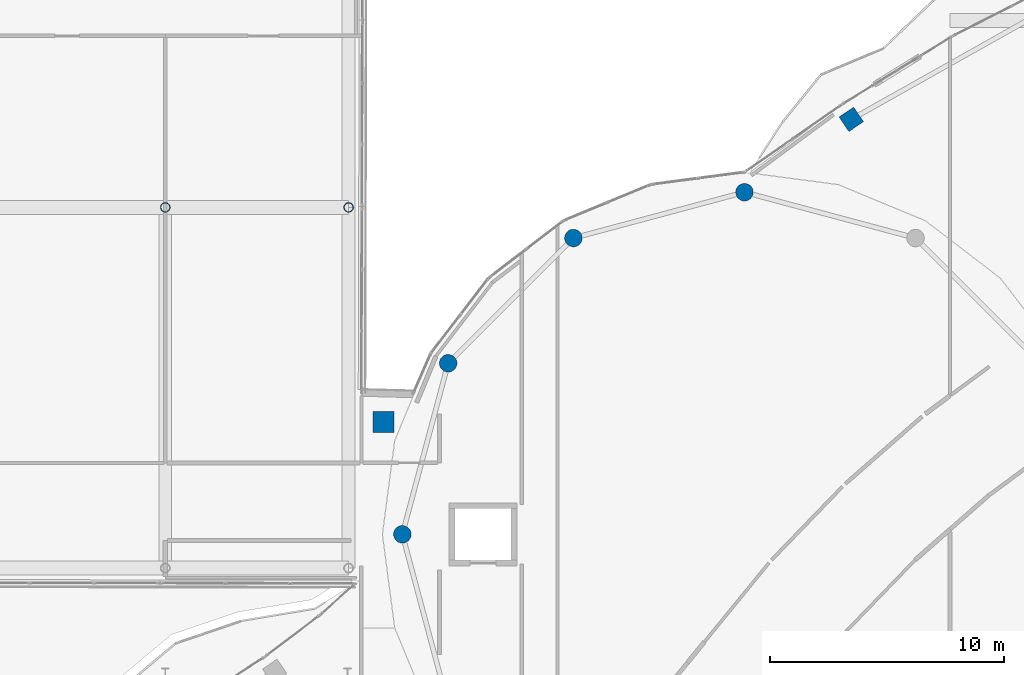
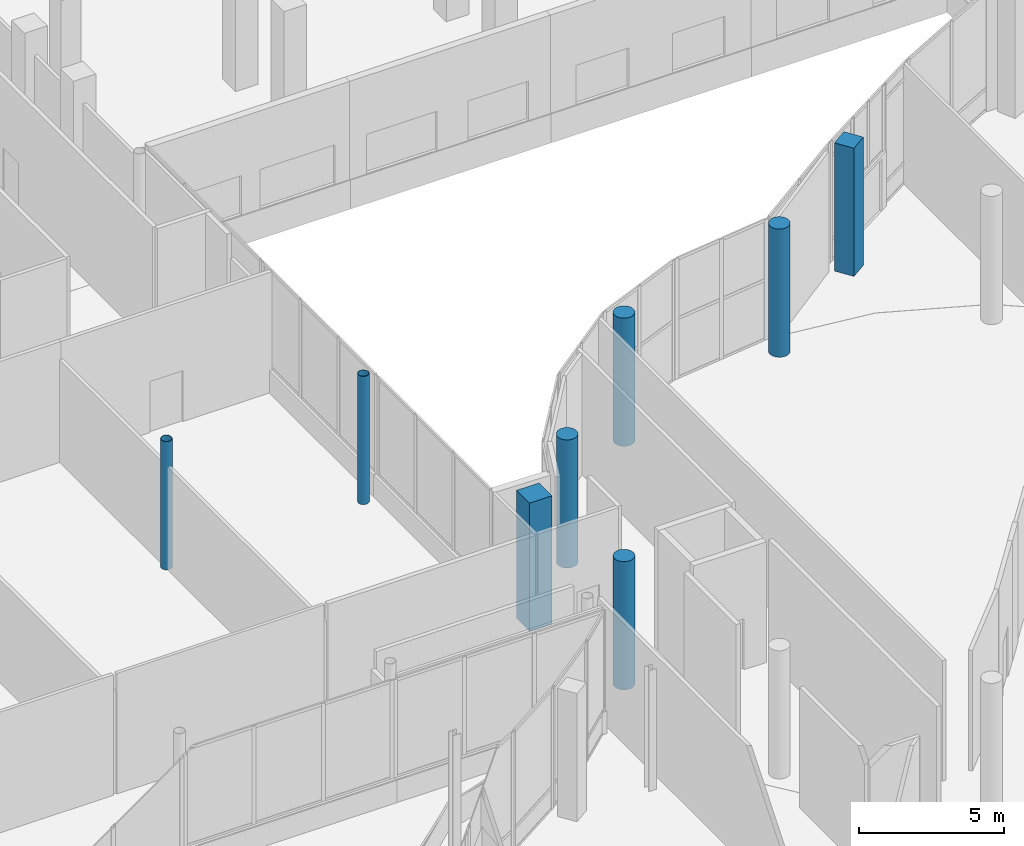
# One storey, part 6 of 158: 8 columns.
"""IFC4 building model written with IfcOpenShell, lengths in metres."""

from ifc_helpers import new_model, si_unit, direction, frame, origin, origin_2d, place, context, subcontext, project, spatial, rectangle, circle, hollow_circle, extrude, material, material_profile, profile_set, type_object, element, save


model = new_model("IFC4")

# Units and contexts
model_context = context("Model", 3, precision=1e-05, world=origin(), true_north=direction((0.0, 1.0)))
body_context = subcontext(model_context, "Body", "Model", "MODEL_VIEW")
ifc_project = project(units=[si_unit("LENGTHUNIT", "METRE"), si_unit("AREAUNIT", "SQUARE_METRE"), si_unit("VOLUMEUNIT", "CUBIC_METRE"), si_unit("PLANEANGLEUNIT", "RADIAN"), si_unit("MASSUNIT", "GRAM", prefix="KILO")], contexts=[model_context])

# Site, building, storey
site_placement = place(None, origin())
site = spatial("IfcSite", under=ifc_project, at=site_placement, CompositionType="ELEMENT")
building_placement = place(site_placement, origin())
building = spatial("IfcBuilding", under=site, at=building_placement, Name="Selatvlak General Hospital", CompositionType="ELEMENT")
storey_placement = place(building_placement, origin())
storey = spatial("IfcBuildingStorey", under=building, at=storey_placement, Name="L00", CompositionType="ELEMENT", Elevation=0.0)

# Columns
ifc_material_1 = material(Name="Steel S355", Category="steel")
ifc_material_profile_1 = material_profile(ifc_material_1, hollow_circle(Radius=0.203125, WallThickness=0.01611328125, at=origin_2d()), Name="CHS 406.4x16")
ifc_profile_set_1 = profile_set([ifc_material_profile_1], Name="Steel S355")
column_type_1 = type_object("IfcColumnType", Name="COL-CHS406", PredefinedType="COLUMN", material=ifc_profile_set_1)
for number, where, z_axis, x_axis, name in (
    (1, (73.199951171875, 68.0, 0.0), (0.0, 0.0, 1.0), (1.0, 0.0, 0.0), "Column 020 on L00"),
    (2, (81.050048828125, 68.0, 0.0), (0.0, 0.0, 1.0), (1.0, 0.0, 0.0), "Column 023 on L00"),
):
    element("IfcColumn", number, at=place(storey_placement, frame(where, z_axis=z_axis, x_axis=x_axis)), inside=storey, type_object=column_type_1, Name=name, PredefinedType="COLUMN", context=body_context, shape_type="SweptSolid", body=[
        extrude(hollow_circle(Radius=0.203125, WallThickness=0.01611328125, at=origin_2d()), origin(), (0.0, 0.0, 1.0), 5.39990234375),
    ])
ifc_material_2 = material(Name="Concrete C50/60", Category="concrete")
ifc_material_profile_2 = material_profile(ifc_material_2, rectangle(XDim=0.75, YDim=0.75, at=origin_2d()), Name="RC-COL 750x750")
ifc_profile_set_2 = profile_set([ifc_material_profile_2], Name="Concrete C50/60")
column_type_2 = type_object("IfcColumnType", Name="COL-RC75", PredefinedType="COLUMN", material=ifc_profile_set_2)
column_1_placement = place(storey_placement, frame((102.572998046875, 71.77001953125, 0.0), z_axis=(0.0, 0.0, 1.0), x_axis=(-0.560725705765, 0.828001620104, 0.0)))
element("IfcColumn", 3, at=column_1_placement, inside=storey, type_object=column_type_2, Name="Column 340 on L00", PredefinedType="COLUMN", context=body_context, shape_type="SweptSolid", body=[
    extrude(rectangle(XDim=0.75, YDim=0.75, at=origin_2d()), origin(), (0.0, 0.0, 1.0), 5.39990234375),
])
ifc_material_profile_3 = material_profile(ifc_material_2, rectangle(XDim=0.89990234375, YDim=0.89990234375, at=origin_2d()), Name="RC-COL 900x900")
ifc_profile_set_3 = profile_set([ifc_material_profile_3], Name="Concrete C50/60")
column_type_3 = type_object("IfcColumnType", Name="COL-RC90", PredefinedType="COLUMN", material=ifc_profile_set_3)
column_2_placement = place(storey_placement, frame((82.550048828125, 58.800048828125, 0.0), z_axis=(0.0, 0.0, 1.0), x_axis=(1.0, 0.0, 0.0)))
element("IfcColumn", 4, at=column_2_placement, inside=storey, type_object=column_type_3, Name="Column 086 on L00", PredefinedType="COLUMN", context=body_context, shape_type="SweptSolid", body=[
    extrude(rectangle(XDim=0.89990234375, YDim=0.89990234375, at=origin_2d()), origin(), (0.0, 0.0, 1.0), 5.39990234375),
])
ifc_material_profile_4 = material_profile(ifc_material_2, circle(Radius=0.375, at=origin_2d()), Name="RC-COL D750")
ifc_profile_set_4 = profile_set([ifc_material_profile_4], Name="Concrete C50/60")
column_type_4 = type_object("IfcColumnType", Name="COL-RCD75", PredefinedType="COLUMN", material=ifc_profile_set_4)
for number, where, z_axis, x_axis, name in (
    (5, (98.0, 68.64990234375, 0.0), (0.0, 0.0, 1.0), (0.0, 1.0, 0.0), "Column 028 on L00"),
    (6, (90.675048828125, 66.68701171875, 0.0), (0.0, 0.0, 1.0), (-0.5, 0.866025403784, 0.0), "Column 029 on L00"),
    (7, (85.31298828125, 61.324951171875, 0.0), (0.0, 0.0, 1.0), (-0.866025403784, 0.5, 0.0), "Column 030 on L00"),
    (8, (83.35009765625, 54.0, 0.0), (0.0, 0.0, 1.0), (-1.0, 0.0, 0.0), "Column 031 on L00"),
):
    element("IfcColumn", number, at=place(storey_placement, frame(where, z_axis=z_axis, x_axis=x_axis)), inside=storey, type_object=column_type_4, Name=name, PredefinedType="COLUMN", context=body_context, shape_type="SweptSolid", body=[
        extrude(circle(Radius=0.375, at=origin_2d()), origin(), (0.0, 0.0, 1.0), 5.39990234375),
    ])

save(model, "model.ifc")
